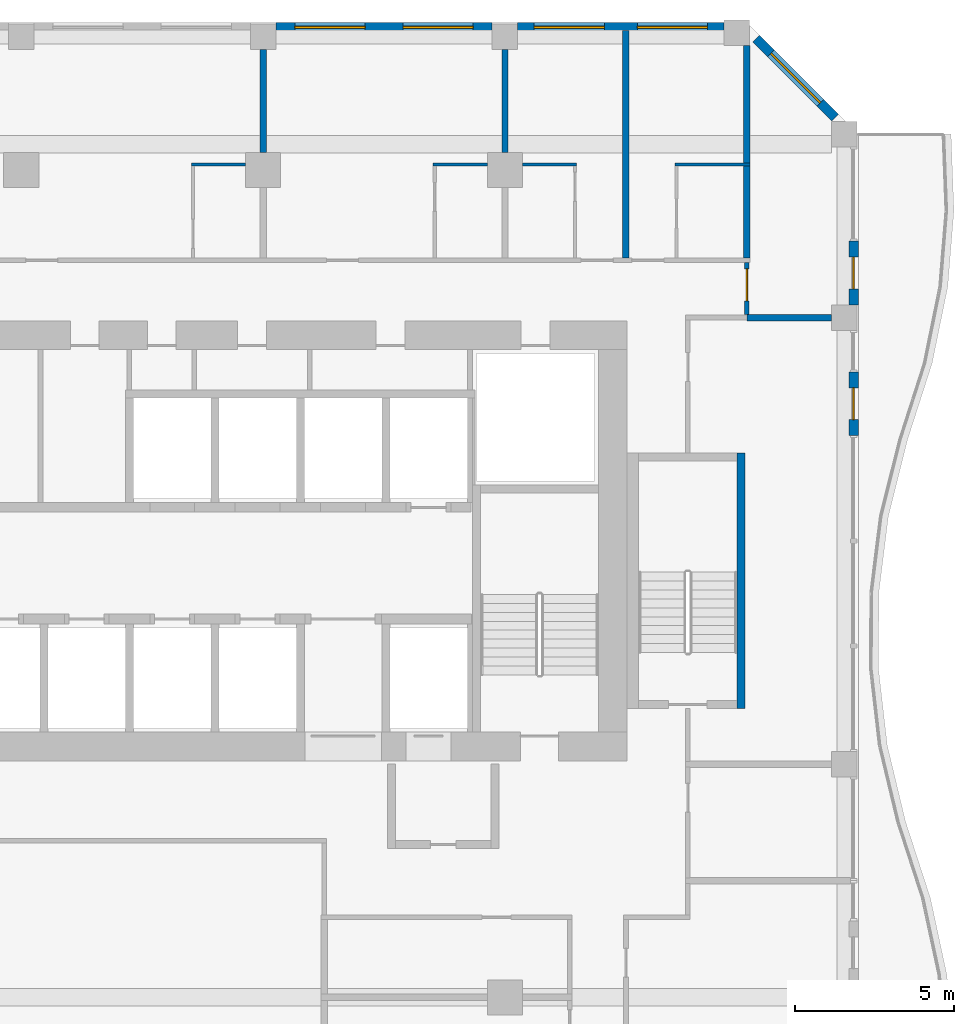
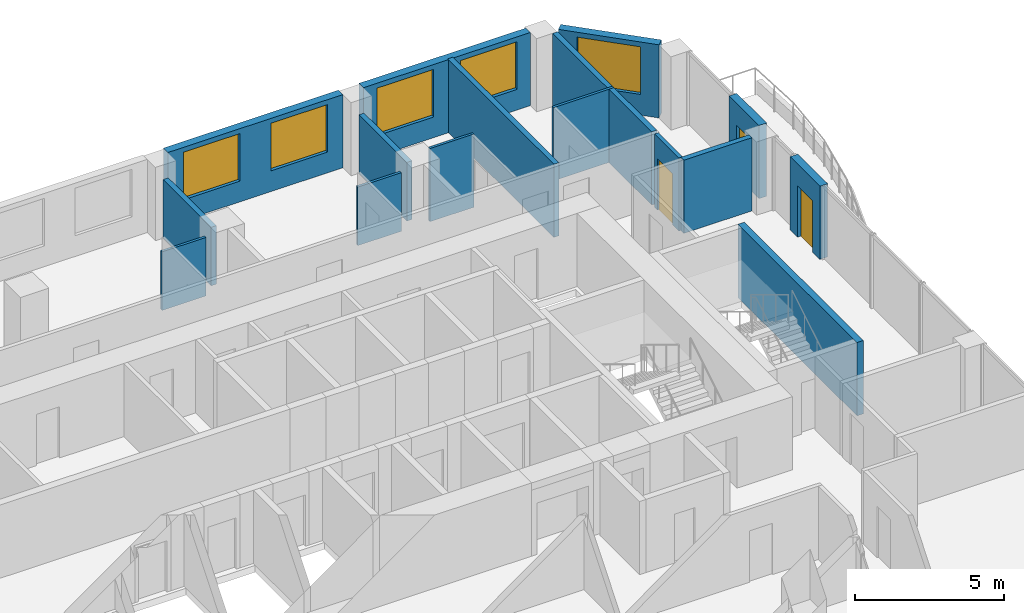
# One storey, part 17 of 23: 17 walls, 5 windows, 3 doors, 8 openings.
"""IFC4 building model written with IfcOpenShell, lengths in metres."""

from ifc_helpers import new_model, si_unit, direction, frame, frame_2d, origin, place, context, subcontext, project, spatial, rectangle, extrude, source, transform, mapped, material, layer, layer_set, type_object, element, fill, save


model = new_model("IFC4")

# Units and contexts
model_context = context("Model", 3, precision=1e-05, world=origin(), true_north=direction((0.0, 1.0)))
body_context = subcontext(model_context, "Body", "Model", "MODEL_VIEW")
ifc_project = project(units=[si_unit("LENGTHUNIT", "METRE"), si_unit("AREAUNIT", "SQUARE_METRE"), si_unit("VOLUMEUNIT", "CUBIC_METRE"), si_unit("PLANEANGLEUNIT", "RADIAN"), si_unit("MASSUNIT", "GRAM", prefix="KILO")], contexts=[model_context])

# Site, building, storey
site_placement = place(None, origin())
site = spatial("IfcSite", under=ifc_project, at=site_placement, CompositionType="ELEMENT")
building_placement = place(site_placement, origin())
building = spatial("IfcBuilding", under=site, at=building_placement, Name="Kilnfold Tower and Market Hall", CompositionType="ELEMENT")
storey_placement = place(building_placement, frame((0.0, 0.0, 160.89990234375)))
storey = spatial("IfcBuildingStorey", under=building, at=storey_placement, Name="L37", CompositionType="ELEMENT", Elevation=160.89990234375)

# Wall, opening, door
ifc_material_1 = material(Name="Gypsum board on steel studs", Category="steel")
ifc_layer_1 = layer(ifc_material_1, 0.14990234375)
ifc_layer_set_1 = layer_set([ifc_layer_1], Name="Gypsum board on steel studs")
wall_type_1 = type_object("IfcWallType", Name="WALL CORRIDOR 150", PredefinedType="PARTITIONING", material=ifc_layer_set_1)
wall_1_placement = place(storey_placement, frame((21.75, 22.10009765625, 0.0), z_axis=(0.0, 0.0, 1.0), x_axis=(0.0, 1.0, 0.0)))
wall_1 = element("IfcWall", 1, at=wall_1_placement, inside=storey, type_object=wall_type_1, Name="Partition LY24.22", PredefinedType="PARTITIONING", context=body_context, shape_type="SweptSolid", body=[
    extrude(rectangle(XDim=1.625, YDim=0.14990234375, at=frame_2d((0.8125, 0.0))), origin(), (0.0, 0.0, 1.0), 3.0),
])
opening_1_placement = place(wall_1_placement, frame((0.425048828125, 0.0, 0.0)))
opening_1 = element("IfcOpeningElement", 2, at=opening_1_placement, cuts=wall_1, Name="Opening D4", PredefinedType="OPENING", context=body_context, shape_type="SweptSolid", body=[
    extrude(rectangle(XDim=1.0, YDim=2.10009765625, at=frame_2d((0.5, 1.050048828125))), frame((0.0, 0.0849609375, 0.0), z_axis=(0.0, -1.0, 0.0), x_axis=(1.0, 0.0, 0.0)), (0.0, 0.0, 1.0), 0.169921875),
])
ifc_material_2 = material(Name="Timber veneer door leaf in steel frame", Category="steel")
door_type_1 = type_object("IfcDoorType", Name="DOOR SERVICE 1000 X2100", OperationType="NOTDEFINED", PredefinedType="DOOR", material=ifc_material_2)
door_1_placement = place(opening_1_placement, origin())
door_1 = element("IfcDoor", 3, at=door_1_placement, inside=storey, type_object=door_type_1, Name="Door D4", OperationType="SINGLE_SWING_LEFT", OverallHeight=2.10009765625, OverallWidth=1.0, PredefinedType="DOOR", context=body_context, shape_type="SweptSolid", body=[
    extrude(rectangle(XDim=1.0, YDim=2.10009765625, at=frame_2d((0.5, 1.050048828125))), frame((0.0, 0.02490234375, 0.0), z_axis=(0.0, -1.0, 0.0), x_axis=(1.0, 0.0, 0.0)), (0.0, 0.0, 1.0), 0.050048828125),
])
fill(opening_1, door_1)

# Walls
ifc_material_3 = material(Name="Gypsum board on steel studs", Category="steel")
ifc_layer_2 = layer(ifc_material_3, 0.10009765625)
ifc_layer_set_2 = layer_set([ifc_layer_2], Name="Gypsum board on steel studs")
wall_type_2 = type_object("IfcWallType", Name="WALL PARTITION 100", PredefinedType="PARTITIONING", material=ifc_layer_set_2)
for number, where, z_axis, x_axis, name in (
    (4, (4.3330078125, 26.802001953125, 0.0), (0.0, 0.0, 1.0), (1.0, 0.0, 0.0), "Partition LY24.85"),
    (5, (11.9169921875, 26.802001953125, 0.0), (0.0, 0.0, 1.0), (1.0, 0.0, 0.0), "Partition LY24.89"),
):
    element("IfcWall", number, at=place(storey_placement, frame(where, z_axis=z_axis, x_axis=x_axis)), inside=storey, type_object=wall_type_2, Name=name, PredefinedType="PARTITIONING", context=body_context, shape_type="SweptSolid", body=[
        extrude(rectangle(XDim=1.699951171875, YDim=0.10009765625, at=frame_2d((0.85009765625, 0.0))), origin(), (0.0, 0.0, 1.0), 2.400146484375),
    ])
wall_2_placement = place(storey_placement, frame((14.717041015625, 26.802001953125, 0.0), z_axis=(0.0, 0.0, 1.0), x_axis=(1.0, 0.0, 0.0)))
element("IfcWall", 6, at=wall_2_placement, inside=storey, type_object=wall_type_2, Name="Partition LY24.93", PredefinedType="PARTITIONING", context=body_context, shape_type="SweptSolid", body=[
    extrude(rectangle(XDim=1.699951171875, YDim=0.10009765625, at=frame_2d((0.85009765625, 0.0))), origin(), (0.0, 0.0, 1.0), 3.0),
])
wall_3_placement = place(storey_placement, frame((19.5, 26.802001953125, 0.0), z_axis=(0.0, 0.0, 1.0), x_axis=(1.0, 0.0, 0.0)))
element("IfcWall", 7, at=wall_3_placement, inside=storey, type_object=wall_type_2, Name="Partition LY24.96", PredefinedType="PARTITIONING", context=body_context, shape_type="SweptSolid", body=[
    extrude(rectangle(XDim=2.35009765625, YDim=0.10009765625, at=frame_2d((1.175048828125, 0.0))), origin(), (0.0, 0.0, 1.0), 3.0),
])
ifc_material_4 = material(Name="Gypsum board on steel studs", Category="steel")
ifc_layer_3 = layer(ifc_material_4, 0.199951171875)
ifc_layer_set_3 = layer_set([ifc_layer_3], Name="Gypsum board on steel studs")
wall_type_3 = type_object("IfcWallType", Name="WALL PARTY 200", PredefinedType="PARTITIONING", material=ifc_layer_set_3)
for number, where, z_axis, x_axis, name in (
    (8, (6.5830078125, 27.175048828125, 0.0), (0.0, 0.0, 1.0), (0.0, 1.0, 0.0), "Partition LY24.87"),
    (9, (14.1669921875, 27.175048828125, 0.0), (0.0, 0.0, 1.0), (0.0, 1.0, 0.0), "Partition LY24.91"),
):
    element("IfcWall", number, at=place(storey_placement, frame(where, z_axis=z_axis, x_axis=x_axis)), inside=storey, type_object=wall_type_3, Name=name, PredefinedType="PARTITIONING", context=body_context, shape_type="SweptSolid", body=[
        extrude(rectangle(XDim=3.224853515625, YDim=0.199951171875, at=frame_2d((1.6123046875, 0.0))), origin(), (0.0, 0.0, 1.0), 2.400146484375),
    ])
wall_4_placement = place(storey_placement, frame((17.958984375, 23.876953125, 0.0), z_axis=(0.0, 0.0, 1.0), x_axis=(0.0, 1.0, 0.0)))
element("IfcWall", 10, at=wall_4_placement, inside=storey, type_object=wall_type_3, Name="Partition LY24.95", PredefinedType="PARTITIONING", context=body_context, shape_type="SweptSolid", body=[
    extrude(rectangle(XDim=7.123046875, YDim=0.199951171875, at=frame_2d((3.5615234375, 0.0))), origin(), (0.0, 0.0, 1.0), 3.0),
])
wall_5_placement = place(storey_placement, frame((21.75, 26.85205078125, 0.0), z_axis=(0.0, 0.0, 1.0), x_axis=(0.0, 1.0, 0.0)))
element("IfcWall", 11, at=wall_5_placement, inside=storey, type_object=wall_type_3, Name="Partition LY24.98", PredefinedType="PARTITIONING", context=body_context, shape_type="SweptSolid", body=[
    extrude(rectangle(XDim=3.679931640625, YDim=0.199951171875, at=frame_2d((1.83984375, 0.0))), origin(), (0.0, 0.0, 1.0), 3.0),
])
wall_6_placement = place(storey_placement, frame((21.75, 23.876953125, 0.0), z_axis=(0.0, 0.0, 1.0), x_axis=(0.0, 1.0, 0.0)))
element("IfcWall", 12, at=wall_6_placement, inside=storey, type_object=wall_type_3, Name="Partition LY24.99", PredefinedType="PARTITIONING", context=body_context, shape_type="SweptSolid", body=[
    extrude(rectangle(XDim=2.875, YDim=0.199951171875, at=frame_2d((1.4375, 0.0))), origin(), (0.0, 0.0, 1.0), 3.0),
])
wall_7_placement = place(storey_placement, frame((21.751953125, 22.0, 0.0), z_axis=(0.0, 0.0, 1.0), x_axis=(1.0, 0.0, 0.0)))
element("IfcWall", 13, at=wall_7_placement, inside=storey, type_object=wall_type_3, Name="Partition LY24.100", PredefinedType="PARTITIONING", context=body_context, shape_type="SweptSolid", body=[
    extrude(rectangle(XDim=2.64794921875, YDim=0.199951171875, at=frame_2d((1.323974609375, 0.0))), origin(), (0.0, 0.0, 1.0), 3.0),
])
ifc_material_5 = material(Name="Concrete C70", Category="concrete")
ifc_layer_4 = layer(ifc_material_5, 0.25)
ifc_layer_set_4 = layer_set([ifc_layer_4], Name="Concrete C70")
wall_type_4 = type_object("IfcWallType", Name="CORE WALL 250 C70", PredefinedType="SHEAR", material=ifc_layer_set_4)
shared_shape_1 = source(origin(), body_context, "Body", "SweptSolid", [
    extrude(rectangle(XDim=8.0, YDim=0.25, at=frame_2d((4.0, 0.0))), origin(), (0.0, 0.0, 1.0), 3.0),
])
wall_8_placement = place(storey_placement, frame((21.574951171875, 9.75, 0.0), z_axis=(0.0, 0.0, 1.0), x_axis=(0.0, 1.0, 0.0)))
element("IfcWall", 14, at=wall_8_placement, inside=storey, type_object=wall_type_4, Name="Stair enclosure ST5", PredefinedType="SHEAR", context=body_context, shape_type="MappedRepresentation", body=[
    mapped(shared_shape_1, transform((0.0, 0.0, 0.0))),
])

# Wall, opening, door
ifc_material_6 = material(Name="Precast concrete C50/60", Category="concrete")
ifc_layer_5 = layer(ifc_material_6, 0.300048828125)
ifc_layer_set_5 = layer_set([ifc_layer_5], Name="Precast concrete C50/60")
wall_type_5 = type_object("IfcWallType", Name="PRECAST WALL 300", PredefinedType="SOLIDWALL", material=ifc_layer_set_5)
shared_shape_2 = source(origin(), body_context, "Body", "SweptSolid", [
    extrude(rectangle(XDim=2.0, YDim=0.300048828125, at=frame_2d((1.0, 0.0))), origin(), (0.0, 0.0, 1.0), 3.0),
])
wall_9_placement = place(storey_placement, frame((25.10009765625, 18.300048828125, 0.0), z_axis=(0.0, 0.0, 1.0), x_axis=(0.0, 1.0, 0.0)))
wall_9 = element("IfcWall", 15, at=wall_9_placement, inside=storey, type_object=wall_type_5, Name="External wall L37 E", PredefinedType="SOLIDWALL", context=body_context, shape_type="MappedRepresentation", body=[
    mapped(shared_shape_2, transform((0.0, 0.0, 0.0))),
])
opening_2_placement = place(wall_9_placement, frame((0.5, 0.0, 0.0)))
opening_2 = element("IfcOpeningElement", 16, at=opening_2_placement, cuts=wall_9, Name="Opening BD1", PredefinedType="OPENING", context=body_context, shape_type="SweptSolid", body=[
    extrude(rectangle(XDim=1.0, YDim=2.10009765625, at=frame_2d((0.5, 1.050048828125))), frame((0.0, 0.16015625, 0.0), z_axis=(0.0, -1.0, 0.0), x_axis=(1.0, 0.0, 0.0)), (0.0, 0.0, 1.0), 0.320068359375),
])
ifc_material_7 = material(Name="Aluminium frame and double glazing", Category="aluminium")
door_type_2 = type_object("IfcDoorType", Name="BALCONY DOOR 1000X2100", OperationType="NOTDEFINED", PredefinedType="DOOR", material=ifc_material_7)
door_2_placement = place(opening_2_placement, origin())
door_2 = element("IfcDoor", 17, at=door_2_placement, inside=storey, type_object=door_type_2, Name="Balcony door BD1 L37 E-4", OperationType="SINGLE_SWING_RIGHT", OverallHeight=2.10009765625, OverallWidth=1.0, PredefinedType="DOOR", context=body_context, shape_type="SweptSolid", body=[
    extrude(rectangle(XDim=1.0, YDim=2.10009765625, at=frame_2d((0.5, 1.050048828125))), frame((0.0, 0.02490234375, 0.0), z_axis=(0.0, -1.0, 0.0), x_axis=(1.0, 0.0, 0.0)), (0.0, 0.0, 1.0), 0.050048828125),
])
fill(opening_2, door_2)

wall_10_placement = place(storey_placement, frame((25.10009765625, 22.39990234375, 0.0), z_axis=(0.0, 0.0, 1.0), x_axis=(0.0, 1.0, 0.0)))
wall_10 = element("IfcWall", 18, at=wall_10_placement, inside=storey, type_object=wall_type_5, Name="External wall L37 E", PredefinedType="SOLIDWALL", context=body_context, shape_type="MappedRepresentation", body=[
    mapped(shared_shape_2, transform((0.0, 0.0, 0.0))),
])
opening_3_placement = place(wall_10_placement, frame((0.5, 0.0, 0.0)))
opening_3 = element("IfcOpeningElement", 19, at=opening_3_placement, cuts=wall_10, Name="Opening BD1", PredefinedType="OPENING", context=body_context, shape_type="SweptSolid", body=[
    extrude(rectangle(XDim=1.0, YDim=2.10009765625, at=frame_2d((0.5, 1.050048828125))), frame((0.0, 0.16015625, 0.0), z_axis=(0.0, -1.0, 0.0), x_axis=(1.0, 0.0, 0.0)), (0.0, 0.0, 1.0), 0.320068359375),
])
door_3_placement = place(opening_3_placement, origin())
door_3 = element("IfcDoor", 20, at=door_3_placement, inside=storey, type_object=door_type_2, Name="Balcony door BD1 L37 E-1", OperationType="SINGLE_SWING_LEFT", OverallHeight=2.10009765625, OverallWidth=1.0, PredefinedType="DOOR", context=body_context, shape_type="SweptSolid", body=[
    extrude(rectangle(XDim=1.0, YDim=2.10009765625, at=frame_2d((0.5, 1.050048828125))), frame((0.0, 0.02490234375, 0.0), z_axis=(0.0, -1.0, 0.0), x_axis=(1.0, 0.0, 0.0)), (0.0, 0.0, 1.0), 0.050048828125),
])
fill(opening_3, door_3)

# Wall, opening, window
shared_shape_3 = source(origin(), body_context, "Body", "SweptSolid", [
    extrude(rectangle(XDim=3.500244140625, YDim=0.300048828125, at=frame_2d((1.75, 0.0))), origin(), (0.0, 0.0, 1.0), 3.0),
])
wall_11_placement = place(storey_placement, frame((24.518798828125, 28.268798828125, 0.0), z_axis=(0.0, 0.0, 1.0), x_axis=(-0.70707190453, 0.707141656123, 0.0)))
wall_11 = element("IfcWall", 21, at=wall_11_placement, inside=storey, type_object=wall_type_5, Name="External wall L37 NE", PredefinedType="SOLIDWALL", context=body_context, shape_type="MappedRepresentation", body=[
    mapped(shared_shape_3, transform((0.0, 0.0, 0.0))),
])
opening_4_placement = place(wall_11_placement, frame((0.650146484375, 0.0, 0.85009765625)))
opening_4 = element("IfcOpeningElement", 22, at=opening_4_placement, cuts=wall_11, Name="Opening W2", PredefinedType="OPENING", context=body_context, shape_type="SweptSolid", body=[
    extrude(rectangle(XDim=2.199951171875, YDim=1.949951171875, at=frame_2d((1.10009765625, 0.97509765625))), frame((0.0, 0.16015625, 0.0), z_axis=(0.0, -1.0, 0.0), x_axis=(1.0, 0.0, 0.0)), (0.0, 0.0, 1.0), 0.320068359375),
])
ifc_material_8 = material(Name="Aluminium frame and double glazing", Category="aluminium")
window_type = type_object("IfcWindowType", Name="WINDOW W2 2200X1950", PartitioningType="SINGLE_PANEL", PredefinedType="WINDOW", material=ifc_material_8)
window_1_placement = place(opening_4_placement, origin())
window_1 = element("IfcWindow", 23, at=window_1_placement, inside=storey, type_object=window_type, Name="Window W2 L37 NE-1", OverallHeight=1.949951171875, OverallWidth=2.199951171875, PartitioningType="SINGLE_PANEL", PredefinedType="WINDOW", context=body_context, shape_type="SweptSolid", body=[
    extrude(rectangle(XDim=2.199951171875, YDim=1.949951171875, at=frame_2d((1.10009765625, 0.97509765625))), frame((0.0, 0.030029296875, 0.0), z_axis=(0.0, -1.0, 0.0), x_axis=(1.0, 0.0, 0.0)), (0.0, 0.0, 1.0), 0.06005859375),
])
fill(opening_4, window_1)

# Wall, openings, windows
shared_shape_4 = source(origin(), body_context, "Body", "SweptSolid", [
    extrude(rectangle(XDim=6.465087890625, YDim=0.300048828125, at=frame_2d((3.232421875, 0.0))), origin(), (0.0, 0.0, 1.0), 3.0),
])
wall_12_placement = place(storey_placement, frame((21.03173828125, 31.10009765625, 0.0), z_axis=(0.0, 0.0, 1.0), x_axis=(-1.0, 0.0, 0.0)))
wall_12 = element("IfcWall", 24, at=wall_12_placement, inside=storey, type_object=wall_type_5, Name="External wall L37 N", PredefinedType="SOLIDWALL", context=body_context, shape_type="MappedRepresentation", body=[
    mapped(shared_shape_4, transform((0.0, 0.0, 0.0))),
])
opening_5_placement = place(wall_12_placement, frame((0.51611328125, 0.0, 0.85009765625)))
opening_5 = element("IfcOpeningElement", 25, at=opening_5_placement, cuts=wall_12, Name="Opening W2", PredefinedType="OPENING", context=body_context, shape_type="SweptSolid", body=[
    extrude(rectangle(XDim=2.199951171875, YDim=1.949951171875, at=frame_2d((1.10009765625, 0.97509765625))), frame((0.0, 0.16015625, 0.0), z_axis=(0.0, -1.0, 0.0), x_axis=(1.0, 0.0, 0.0)), (0.0, 0.0, 1.0), 0.320068359375),
])
opening_6_placement = place(wall_12_placement, frame((3.748779296875, 0.0, 0.85009765625)))
opening_6 = element("IfcOpeningElement", 26, at=opening_6_placement, cuts=wall_12, Name="Opening W2", PredefinedType="OPENING", context=body_context, shape_type="SweptSolid", body=[
    extrude(rectangle(XDim=2.199951171875, YDim=1.949951171875, at=frame_2d((1.10009765625, 0.97509765625))), frame((0.0, 0.16015625, 0.0), z_axis=(0.0, -1.0, 0.0), x_axis=(1.0, 0.0, 0.0)), (0.0, 0.0, 1.0), 0.320068359375),
])
window_2_placement = place(opening_5_placement, origin())
window_2 = element("IfcWindow", 27, at=window_2_placement, inside=storey, type_object=window_type, Name="Window W2 L37 N-1", OverallHeight=1.949951171875, OverallWidth=2.199951171875, PartitioningType="SINGLE_PANEL", PredefinedType="WINDOW", context=body_context, shape_type="SweptSolid", body=[
    extrude(rectangle(XDim=2.199951171875, YDim=1.949951171875, at=frame_2d((1.10009765625, 0.97509765625))), frame((0.0, 0.030029296875, 0.0), z_axis=(0.0, -1.0, 0.0), x_axis=(1.0, 0.0, 0.0)), (0.0, 0.0, 1.0), 0.06005859375),
])
fill(opening_5, window_2)
window_3_placement = place(opening_6_placement, origin())
window_3 = element("IfcWindow", 28, at=window_3_placement, inside=storey, type_object=window_type, Name="Window W2 L37 N-2", OverallHeight=1.949951171875, OverallWidth=2.199951171875, PartitioningType="SINGLE_PANEL", PredefinedType="WINDOW", context=body_context, shape_type="SweptSolid", body=[
    extrude(rectangle(XDim=2.199951171875, YDim=1.949951171875, at=frame_2d((1.10009765625, 0.97509765625))), frame((0.0, 0.030029296875, 0.0), z_axis=(0.0, -1.0, 0.0), x_axis=(1.0, 0.0, 0.0)), (0.0, 0.0, 1.0), 0.06005859375),
])
fill(opening_6, window_3)

shared_shape_5 = source(origin(), body_context, "Body", "SweptSolid", [
    extrude(rectangle(XDim=6.783203125, YDim=0.300048828125, at=frame_2d((3.3916015625, 0.0))), origin(), (0.0, 0.0, 1.0), 3.0),
])
wall_13_placement = place(storey_placement, frame((13.7666015625, 31.10009765625, 0.0), z_axis=(0.0, 0.0, 1.0), x_axis=(-1.0, 0.0, 0.0)))
wall_13 = element("IfcWall", 29, at=wall_13_placement, inside=storey, type_object=wall_type_5, Name="External wall L37 N", PredefinedType="SOLIDWALL", context=body_context, shape_type="MappedRepresentation", body=[
    mapped(shared_shape_5, transform((0.0, 0.0, 0.0))),
])
opening_7_placement = place(wall_13_placement, frame((0.595703125, 0.0, 0.85009765625)))
opening_7 = element("IfcOpeningElement", 30, at=opening_7_placement, cuts=wall_13, Name="Opening W2", PredefinedType="OPENING", context=body_context, shape_type="SweptSolid", body=[
    extrude(rectangle(XDim=2.199951171875, YDim=1.949951171875, at=frame_2d((1.10009765625, 0.97509765625))), frame((0.0, 0.16015625, 0.0), z_axis=(0.0, -1.0, 0.0), x_axis=(1.0, 0.0, 0.0)), (0.0, 0.0, 1.0), 0.320068359375),
])
opening_8_placement = place(wall_13_placement, frame((3.987548828125, 0.0, 0.85009765625)))
opening_8 = element("IfcOpeningElement", 31, at=opening_8_placement, cuts=wall_13, Name="Opening W2", PredefinedType="OPENING", context=body_context, shape_type="SweptSolid", body=[
    extrude(rectangle(XDim=2.199951171875, YDim=1.949951171875, at=frame_2d((1.10009765625, 0.97509765625))), frame((0.0, 0.16015625, 0.0), z_axis=(0.0, -1.0, 0.0), x_axis=(1.0, 0.0, 0.0)), (0.0, 0.0, 1.0), 0.320068359375),
])
window_4_placement = place(opening_7_placement, origin())
window_4 = element("IfcWindow", 32, at=window_4_placement, inside=storey, type_object=window_type, Name="Window W2 L37 N-1", OverallHeight=1.949951171875, OverallWidth=2.199951171875, PartitioningType="SINGLE_PANEL", PredefinedType="WINDOW", context=body_context, shape_type="SweptSolid", body=[
    extrude(rectangle(XDim=2.199951171875, YDim=1.949951171875, at=frame_2d((1.10009765625, 0.97509765625))), frame((0.0, 0.030029296875, 0.0), z_axis=(0.0, -1.0, 0.0), x_axis=(1.0, 0.0, 0.0)), (0.0, 0.0, 1.0), 0.06005859375),
])
fill(opening_7, window_4)
window_5_placement = place(opening_8_placement, origin())
window_5 = element("IfcWindow", 33, at=window_5_placement, inside=storey, type_object=window_type, Name="Window W2 L37 N-2", OverallHeight=1.949951171875, OverallWidth=2.199951171875, PartitioningType="SINGLE_PANEL", PredefinedType="WINDOW", context=body_context, shape_type="SweptSolid", body=[
    extrude(rectangle(XDim=2.199951171875, YDim=1.949951171875, at=frame_2d((1.10009765625, 0.97509765625))), frame((0.0, 0.030029296875, 0.0), z_axis=(0.0, -1.0, 0.0), x_axis=(1.0, 0.0, 0.0)), (0.0, 0.0, 1.0), 0.06005859375),
])
fill(opening_8, window_5)

save(model, "model.ifc")
